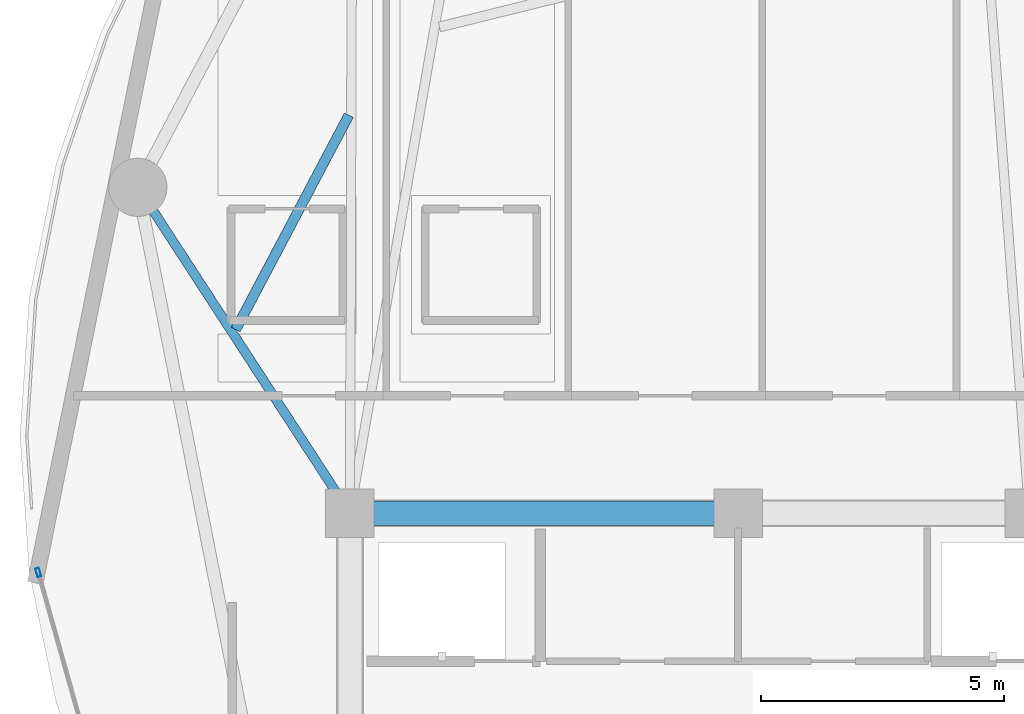
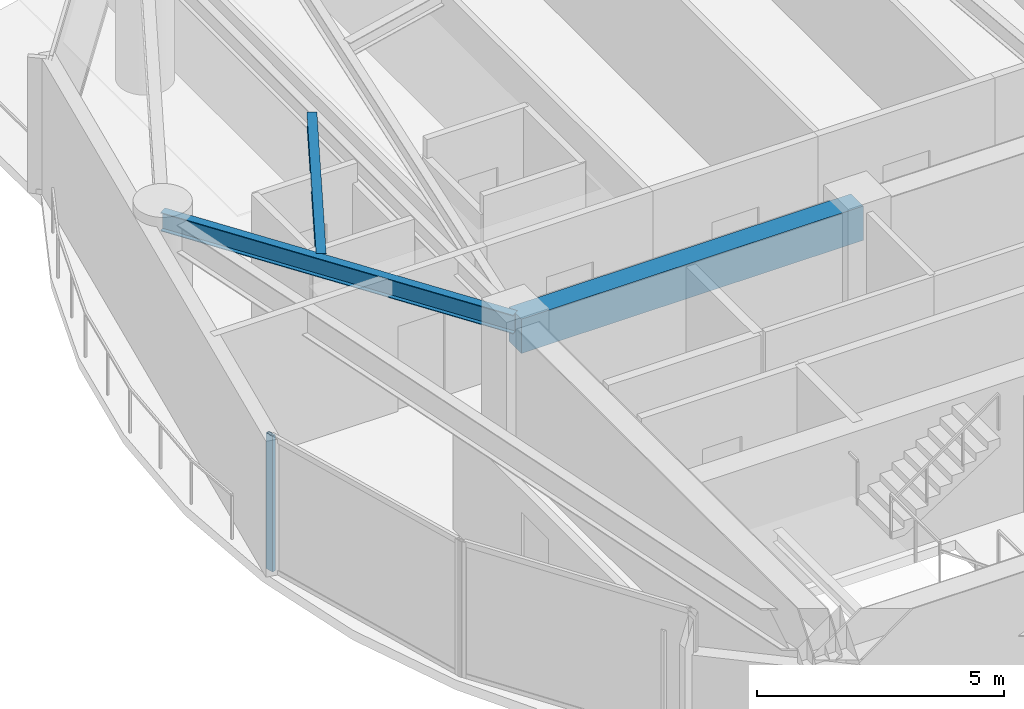
# One storey, part 7 of 28: 3 beams, 1 member, 1 element without a shape of its own.
"""IFC4 building model written with IfcOpenShell, lengths in metres."""

from ifc_helpers import new_model, si_unit, direction, frame, origin, origin_2d, place, context, subcontext, project, spatial, rectangle, hollow_rectangle, i_section, extrude, material, layer, layer_set, material_profile, profile_set, type_object, element, aggregate, save


model = new_model("IFC4")

# Units and contexts
model_context = context("Model", 3, precision=1e-05, world=origin(), true_north=direction((0.0, 1.0)))
body_context = subcontext(model_context, "Body", "Model", "MODEL_VIEW")
ifc_project = project(units=[si_unit("LENGTHUNIT", "METRE"), si_unit("AREAUNIT", "SQUARE_METRE"), si_unit("VOLUMEUNIT", "CUBIC_METRE"), si_unit("PLANEANGLEUNIT", "RADIAN"), si_unit("MASSUNIT", "GRAM", prefix="KILO")], contexts=[model_context])

# Site, building, storey
site_placement = place(None, origin())
site = spatial("IfcSite", under=ifc_project, at=site_placement, CompositionType="ELEMENT")
building_placement = place(site_placement, origin())
building = spatial("IfcBuilding", under=site, at=building_placement, Name="Kazevale Care Tower and Concert Hall", CompositionType="ELEMENT")
storey_placement = place(building_placement, frame((0.0, 0.0, 142.199951171875)))
storey = spatial("IfcBuildingStorey", under=building, at=storey_placement, Name="L37", CompositionType="ELEMENT", Elevation=142.199951171875)

# Curtain wall, member
ifc_material_1 = material(Name="Aluminium 6063-T6 and Low-E Glass", Category="aluminium")
ifc_layer = layer(ifc_material_1, 0.179931640625)
ifc_layer_set = layer_set([ifc_layer], Name="Aluminium 6063-T6 and Low-E Glass")
curtain_wall_type = type_object("IfcCurtainWallType", Name="Waist & Upper Residential Curtain Wall CW-4", PredefinedType="NOTDEFINED", material=ifc_layer_set)
curtain_wall_placement = place(storey_placement, origin())
curtain_wall = element("IfcCurtainWall", 1, at=curtain_wall_placement, inside=storey, type_object=curtain_wall_type, Name="cw:L37:f12", PredefinedType="NOTDEFINED")
ifc_material_2 = material(Name="Aluminium 6063-T6", Category="aluminium")
ifc_material_profile_1 = material_profile(ifc_material_2, hollow_rectangle(XDim=0.080078125, YDim=0.179931640625, WallThickness=0.0048828125, at=origin_2d()), Name="ALU80x180x5")
ifc_profile_set_1 = profile_set([ifc_material_profile_1], Name="Aluminium 6063-T6")
member_type = type_object("IfcMemberType", Name="CW-4 Mullion ALU80x180x5", PredefinedType="MULLION", material=ifc_profile_set_1)
member_placement = place(storey_placement, frame((15.576904296875, 35.18359375, 0.0), z_axis=(0.0, 0.0, 1.0), x_axis=(-0.962499078876, -0.271284948278, 0.0)))
member = element("IfcMember", 2, at=member_placement, type_object=member_type, Name="CW-4 mullion 2", PredefinedType="MULLION", context=body_context, shape_type="SweptSolid", body=[
    extrude(hollow_rectangle(XDim=0.080078125, YDim=0.179931640625, WallThickness=0.0048828125, at=origin_2d()), origin(), (0.0, 0.0, 1.0), 3.360107421875),
])
aggregate(curtain_wall, [member])

# Beams
ifc_material_3 = material(Name="Concrete C60", Category="concrete")
ifc_material_profile_2 = material_profile(ifc_material_3, rectangle(XDim=0.5, YDim=0.85009765625, at=origin_2d()), Name="RC-B500x850")
ifc_profile_set_2 = profile_set([ifc_material_profile_2], Name="Concrete C60")
beam_type_1 = type_object("IfcBeamType", Name="Core Coupling Beam RC500x850", PredefinedType="LINTEL", material=ifc_profile_set_2)
beam_1_placement = place(storey_placement, frame((30.0, 36.39990234375, 2.93505859375), z_axis=(-1.0, 0.0, 0.0), x_axis=(0.0, -1.0, 0.0)))
element("IfcBeam", 3, at=beam_1_placement, inside=storey, type_object=beam_type_1, Name="beam:L37:coretie:7", PredefinedType="LINTEL", context=body_context, shape_type="SweptSolid", body=[
    extrude(rectangle(XDim=0.5, YDim=0.85009765625, at=origin_2d()), origin(), (0.0, 0.0, 1.0), 8.0),
])
ifc_material_4 = material(Name="Steel ASTM A572 Gr 50", Category="steel")
ifc_material_profile_3 = material_profile(ifc_material_4, i_section(OverallWidth=0.19091796875, OverallDepth=0.4599609375, WebThickness=0.010009765625, FlangeThickness=0.01611328125, at=origin_2d()), Name="W460x82")
ifc_profile_set_3 = profile_set([ifc_material_profile_3], Name="Steel ASTM A572 Gr 50")
beam_type_2 = type_object("IfcBeamType", Name="Radial Floor Beam W460x82", PredefinedType="BEAM", material=ifc_profile_set_3)
beam_2_placement = place(storey_placement, frame((22.0, 36.39990234375, 3.130126953125), z_axis=(-0.5451617613, 0.83833087383, 0.0), x_axis=(-0.83833087383, -0.5451617613, 0.0)))
element("IfcBeam", 4, at=beam_2_placement, inside=storey, type_object=beam_type_2, Name="beam:L37:rad:09", PredefinedType="BEAM", context=body_context, shape_type="SweptSolid", body=[
    extrude(i_section(OverallWidth=0.19091796875, OverallDepth=0.4599609375, WebThickness=0.010009765625, FlangeThickness=0.01611328125, at=origin_2d()), origin(), (0.0, 0.0, 1.0), 8.01611328125),
])
ifc_material_profile_4 = material_profile(ifc_material_4, i_section(OverallWidth=0.205078125, OverallDepth=0.35400390625, WebThickness=0.009521484375, FlangeThickness=0.016845703125, at=origin_2d()), Name="W360x79")
ifc_profile_set_4 = profile_set([ifc_material_profile_4], Name="Steel ASTM A572 Gr 50")
beam_type_3 = type_object("IfcBeamType", Name="Secondary Floor Joist W360x79", PredefinedType="JOIST", material=ifc_profile_set_4)
beam_3_placement = place(storey_placement, frame((21.97802734375, 44.60693359375, 3.18310546875), z_axis=(-0.466809583155, -0.884357853515, 0.0), x_axis=(0.884357853515, -0.466809583155, 0.0)))
element("IfcBeam", 5, at=beam_3_placement, inside=storey, type_object=beam_type_3, Name="beam:L37:joist:08", PredefinedType="JOIST", context=body_context, shape_type="SweptSolid", body=[
    extrude(i_section(OverallWidth=0.205078125, OverallDepth=0.35400390625, WebThickness=0.009521484375, FlangeThickness=0.016845703125, at=origin_2d()), origin(), (0.0, 0.0, 1.0), 4.99560546875),
])

save(model, "model.ifc")
